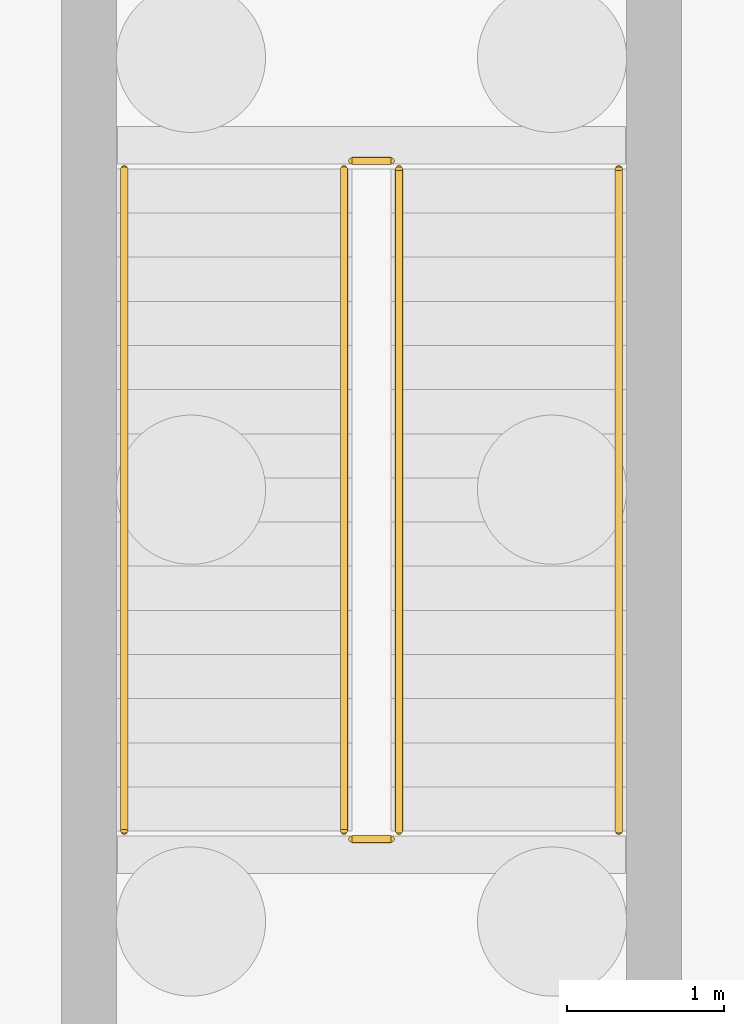
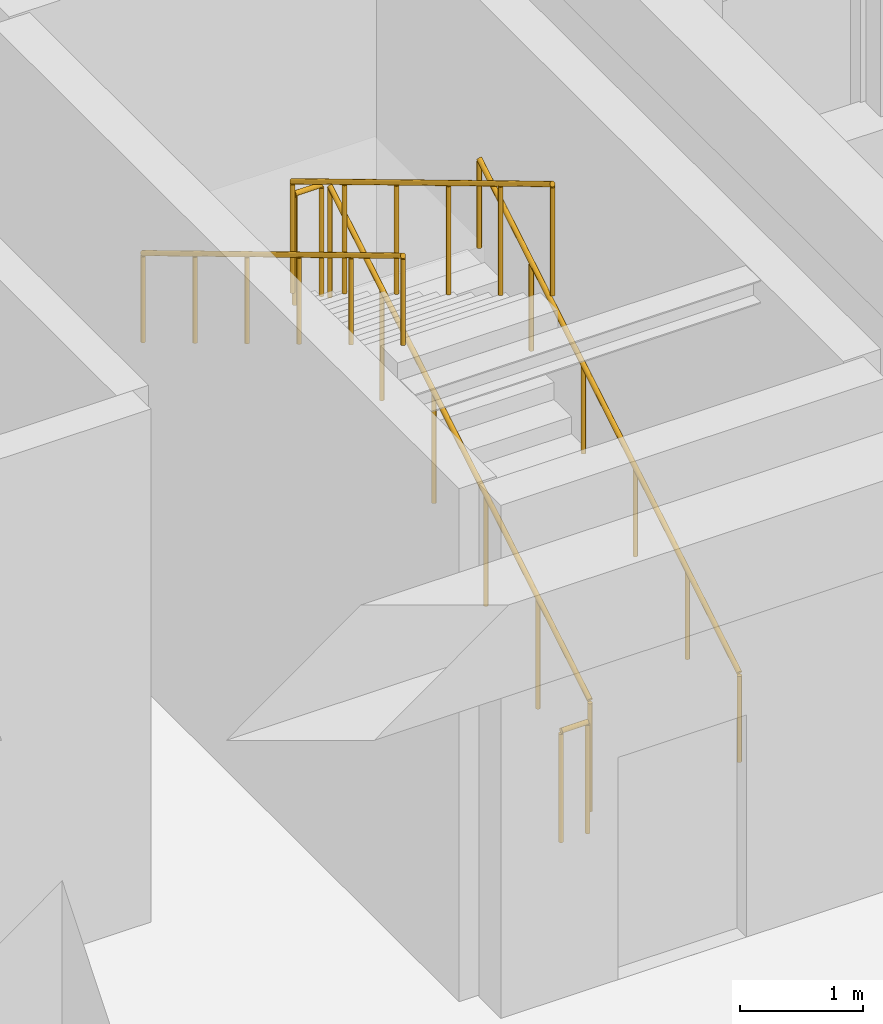
# One storey, part 42 of 51: 6 railings.
"""IFC4 building model written with IfcOpenShell, lengths in metres."""

from ifc_helpers import new_model, si_unit, direction, frame, origin, origin_2d, place, context, subcontext, project, spatial, circle, extrude, material, type_object, element, save


model = new_model("IFC4")

# Units and contexts
model_context = context("Model", 3, precision=1e-05, world=origin(), true_north=direction((0.0, 1.0)))
body_context = subcontext(model_context, "Body", "Model", "MODEL_VIEW")
ifc_project = project(units=[si_unit("LENGTHUNIT", "METRE"), si_unit("AREAUNIT", "SQUARE_METRE"), si_unit("VOLUMEUNIT", "CUBIC_METRE"), si_unit("PLANEANGLEUNIT", "RADIAN"), si_unit("MASSUNIT", "GRAM", prefix="KILO")], contexts=[model_context])

# Site, building, storey
site_placement = place(None, origin())
site = spatial("IfcSite", under=ifc_project, at=site_placement, CompositionType="ELEMENT")
building_placement = place(site_placement, origin())
building = spatial("IfcBuilding", under=site, at=building_placement, Name="Bempovik Park Faculty of Sciences", CompositionType="ELEMENT")
storey_placement = place(building_placement, origin())
storey = spatial("IfcBuildingStorey", under=building, at=storey_placement, Name="L00", CompositionType="ELEMENT", Elevation=0.0)

# Railings
ifc_material = material(Name="Anodised architectural bronze")
railing_type_1 = type_object("IfcRailingType", Name="GR-01 Guardrail 1120mm", PredefinedType="GUARDRAIL", material=ifc_material)
railing_1_placement = place(storey_placement, frame((114.800048828125, 61.125, 0.168701171875)))
element("IfcRailing", 1, at=railing_1_placement, inside=storey, type_object=railing_type_1, Name="L00 ST-5 Stair Guard 1", PredefinedType="GUARDRAIL", context=body_context, shape_type="SweptSolid", body=[
    extrude(circle(Radius=0.02392578125, at=origin_2d()), frame((0.0, 0.0, 1.09619140625), z_axis=(0.0, 0.857492925713, 0.514495755428), x_axis=(-1.0, 0.0, 0.0)), (0.0, 0.0, 1.0), 4.919921875),
    extrude(circle(Radius=0.02099609375, at=origin_2d()), origin(), (0.0, 0.0, 1.0), 1.072021484375),
    extrude(circle(Radius=0.02099609375, at=origin_2d()), frame((0.0, 0.84375, 0.50634765625)), (0.0, 0.0, 1.0), 1.072021484375),
    extrude(circle(Radius=0.02099609375, at=origin_2d()), frame((0.0, 1.6875, 1.012451171875)), (0.0, 0.0, 1.0), 1.072021484375),
    extrude(circle(Radius=0.02099609375, at=origin_2d()), frame((0.0, 2.53125, 1.518798828125)), (0.0, 0.0, 1.0), 1.072021484375),
    extrude(circle(Radius=0.02099609375, at=origin_2d()), frame((0.0, 3.375, 2.02490234375)), (0.0, 0.0, 1.0), 1.072021484375),
    extrude(circle(Radius=0.02099609375, at=origin_2d()), frame((0.0, 4.21875, 2.53125)), (0.0, 0.0, 1.0), 1.072021484375),
])
railing_2_placement = place(storey_placement, frame((114.75, 65.393798828125, 2.699951171875)))
element("IfcRailing", 2, at=railing_2_placement, inside=storey, type_object=railing_type_1, Name="L00 ST-5 Stair Guard 2", PredefinedType="GUARDRAIL", context=body_context, shape_type="SweptSolid", body=[
    extrude(circle(Radius=0.02392578125, at=origin_2d()), frame((0.0, 0.0, 1.09619140625), z_axis=(-1.0, 0.0, 0.0), x_axis=(0.0, -1.0, 0.0)), (0.0, 0.0, 1.0), 0.25),
    extrude(circle(Radius=0.02099609375, at=origin_2d()), origin(), (0.0, 0.0, 1.0), 1.072021484375),
    extrude(circle(Radius=0.02099609375, at=origin_2d()), frame((-0.25, 0.0, 0.0)), (0.0, 0.0, 1.0), 1.072021484375),
])
railing_3_placement = place(storey_placement, frame((114.449951171875, 65.34375, 2.86865234375)))
element("IfcRailing", 3, at=railing_3_placement, inside=storey, type_object=railing_type_1, Name="L00 ST-5 Stair Guard 3", PredefinedType="GUARDRAIL", context=body_context, shape_type="SweptSolid", body=[
    extrude(circle(Radius=0.02392578125, at=origin_2d()), frame((0.0, 0.0, 1.09619140625), z_axis=(0.0, -0.857492925713, 0.514495755428), x_axis=(1.0, 0.0, 0.0)), (0.0, 0.0, 1.0), 4.919921875),
    extrude(circle(Radius=0.02099609375, at=origin_2d()), origin(), (0.0, 0.0, 1.0), 1.072021484375),
    extrude(circle(Radius=0.02099609375, at=origin_2d()), frame((0.0, -0.84375, 0.50634765625)), (0.0, 0.0, 1.0), 1.072021484375),
    extrude(circle(Radius=0.02099609375, at=origin_2d()), frame((0.0, -1.6875, 1.012451171875)), (0.0, 0.0, 1.0), 1.072021484375),
    extrude(circle(Radius=0.02099609375, at=origin_2d()), frame((0.0, -2.53125, 1.518798828125)), (0.0, 0.0, 1.0), 1.072021484375),
    extrude(circle(Radius=0.02099609375, at=origin_2d()), frame((0.0, -3.375, 2.02490234375)), (0.0, 0.0, 1.0), 1.072021484375),
    extrude(circle(Radius=0.02099609375, at=origin_2d()), frame((0.0, -4.21875, 2.53125)), (0.0, 0.0, 1.0), 1.072021484375),
])
railing_4_placement = place(storey_placement, frame((114.75, 61.074951171875, 0.0)))
element("IfcRailing", 4, at=railing_4_placement, inside=storey, type_object=railing_type_1, Name="L00 ST-5 Stair Guard 4", PredefinedType="GUARDRAIL", context=body_context, shape_type="SweptSolid", body=[
    extrude(circle(Radius=0.02392578125, at=origin_2d()), frame((0.0, 0.0, 1.09619140625), z_axis=(-1.0, 0.0, 0.0), x_axis=(0.0, -1.0, 0.0)), (0.0, 0.0, 1.0), 0.25),
    extrude(circle(Radius=0.02099609375, at=origin_2d()), origin(), (0.0, 0.0, 1.0), 1.072021484375),
    extrude(circle(Radius=0.02099609375, at=origin_2d()), frame((-0.25, 0.0, 0.0)), (0.0, 0.0, 1.0), 1.072021484375),
])
railing_type_2 = type_object("IfcRailingType", Name="HR-01 Wall Handrail 900mm", PredefinedType="HANDRAIL", material=ifc_material)
railing_5_placement = place(storey_placement, frame((116.199951171875, 61.125, 0.168701171875)))
element("IfcRailing", 5, at=railing_5_placement, inside=storey, type_object=railing_type_2, Name="L00 ST-5 Stair Handrail 1", PredefinedType="HANDRAIL", context=body_context, shape_type="SweptSolid", body=[
    extrude(circle(Radius=0.02392578125, at=origin_2d()), frame((0.0, 0.0, 0.8759765625), z_axis=(0.0, 0.857492925713, 0.514495755428), x_axis=(-1.0, 0.0, 0.0)), (0.0, 0.0, 1.0), 4.919921875),
    extrude(circle(Radius=0.02099609375, at=origin_2d()), origin(), (0.0, 0.0, 1.0), 0.851806640625),
    extrude(circle(Radius=0.02099609375, at=origin_2d()), frame((0.0, 0.84375, 0.50634765625)), (0.0, 0.0, 1.0), 0.851806640625),
    extrude(circle(Radius=0.02099609375, at=origin_2d()), frame((0.0, 1.6875, 1.012451171875)), (0.0, 0.0, 1.0), 0.851806640625),
    extrude(circle(Radius=0.02099609375, at=origin_2d()), frame((0.0, 2.53125, 1.518798828125)), (0.0, 0.0, 1.0), 0.851806640625),
    extrude(circle(Radius=0.02099609375, at=origin_2d()), frame((0.0, 3.375, 2.02490234375)), (0.0, 0.0, 1.0), 0.851806640625),
    extrude(circle(Radius=0.02099609375, at=origin_2d()), frame((0.0, 4.21875, 2.53125)), (0.0, 0.0, 1.0), 0.851806640625),
])
railing_6_placement = place(storey_placement, frame((113.050048828125, 65.34375, 2.86865234375)))
element("IfcRailing", 6, at=railing_6_placement, inside=storey, type_object=railing_type_2, Name="L00 ST-5 Stair Handrail 2", PredefinedType="HANDRAIL", context=body_context, shape_type="SweptSolid", body=[
    extrude(circle(Radius=0.02392578125, at=origin_2d()), frame((0.0, 0.0, 0.8759765625), z_axis=(0.0, -0.857492925713, 0.514495755428), x_axis=(1.0, 0.0, 0.0)), (0.0, 0.0, 1.0), 4.919921875),
    extrude(circle(Radius=0.02099609375, at=origin_2d()), origin(), (0.0, 0.0, 1.0), 0.851806640625),
    extrude(circle(Radius=0.02099609375, at=origin_2d()), frame((0.0, -0.84375, 0.50634765625)), (0.0, 0.0, 1.0), 0.851806640625),
    extrude(circle(Radius=0.02099609375, at=origin_2d()), frame((0.0, -1.6875, 1.012451171875)), (0.0, 0.0, 1.0), 0.851806640625),
    extrude(circle(Radius=0.02099609375, at=origin_2d()), frame((0.0, -2.53125, 1.518798828125)), (0.0, 0.0, 1.0), 0.851806640625),
    extrude(circle(Radius=0.02099609375, at=origin_2d()), frame((0.0, -3.375, 2.02490234375)), (0.0, 0.0, 1.0), 0.851806640625),
    extrude(circle(Radius=0.02099609375, at=origin_2d()), frame((0.0, -4.21875, 2.53125)), (0.0, 0.0, 1.0), 0.851806640625),
])

save(model, "model.ifc")
